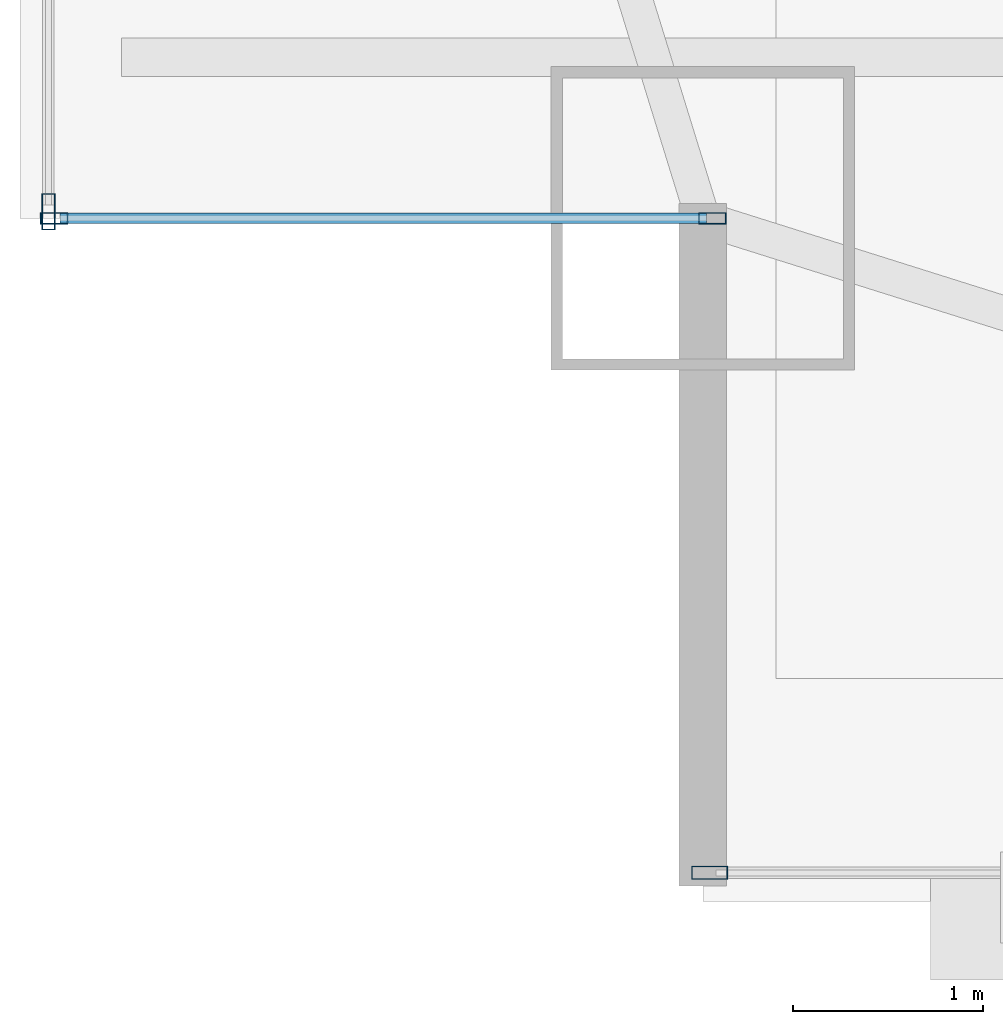
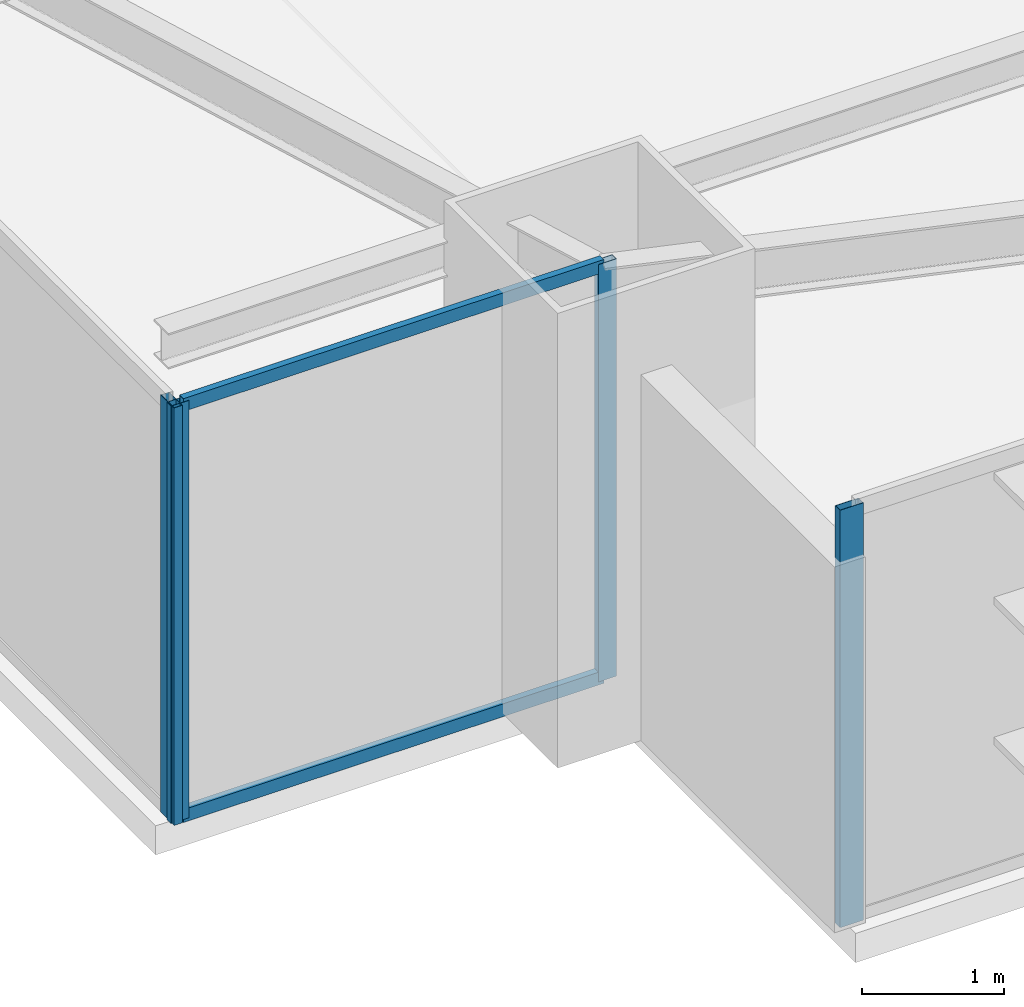
# One storey, part 3 of 32: 6 members, 3 elements without a shape of their own.
"""IFC4 building model written with IfcOpenShell, lengths in metres."""

from ifc_helpers import new_model, si_unit, direction, frame, origin, origin_2d, place, context, subcontext, project, spatial, hollow_rectangle, extrude, source, transform, mapped, material, layer, layer_set, material_profile, profile_set, type_object, type_shapes, element, aggregate, save


model = new_model("IFC4")

# Units and contexts
model_context = context("Model", 3, precision=1e-05, world=origin(), true_north=direction((0.0, 1.0)))
body_context = subcontext(model_context, "Body", "Model", "MODEL_VIEW")
ifc_project = project(units=[si_unit("LENGTHUNIT", "METRE"), si_unit("AREAUNIT", "SQUARE_METRE"), si_unit("VOLUMEUNIT", "CUBIC_METRE"), si_unit("PLANEANGLEUNIT", "RADIAN"), si_unit("MASSUNIT", "GRAM", prefix="KILO")], contexts=[model_context])

# Site, building, storey
site_placement = place(None, origin())
site = spatial("IfcSite", under=ifc_project, at=site_placement, CompositionType="ELEMENT")
building_placement = place(site_placement, origin())
building = spatial("IfcBuilding", under=site, at=building_placement, Name="Varnel Quay Broadcast Tower", CompositionType="ELEMENT")
storey_placement = place(building_placement, frame((0.0, 0.0, 78.300048828125)))
storey = spatial("IfcBuildingStorey", under=building, at=storey_placement, Name="L18", CompositionType="ELEMENT", Elevation=78.300048828125)

# Curtain wall, members
ifc_material = material(Name="Anodised Bronze Aluminium 6063-T6", Category="aluminium")
ifc_layer_1 = layer(ifc_material, 0.18994140625, Name="Anodised Bronze Aluminium 6063-T6")
ifc_layer_set_1 = layer_set([ifc_layer_1], Name="Anodised Bronze Aluminium 6063-T6")
curtain_wall_type_1 = type_object("IfcCurtainWallType", Name="CW_NotchCorner", PredefinedType="NOTDEFINED", material=ifc_layer_set_1)
curtain_wall_1_placement = place(storey_placement, origin())
curtain_wall_1 = element("IfcCurtainWall", 1, at=curtain_wall_1_placement, inside=storey, type_object=curtain_wall_type_1, Name="L18 SW Notch Curtain Wall", PredefinedType="NOTDEFINED")
ifc_material_profile_1 = material_profile(ifc_material, hollow_rectangle(XDim=0.054931640625, YDim=0.110107421875, WallThickness=0.0029296875, at=origin_2d()), Name="ALU55X110X3")
ifc_profile_set_1 = profile_set([ifc_material_profile_1], Name="Anodised Bronze Aluminium 6063-T6")
member_type_1 = type_object("IfcMemberType", Name="Tran_CWS-04", PredefinedType="USERDEFINED", material=ifc_profile_set_1)
shared_shape_1 = source(origin(), body_context, "Body", "SweptSolid", [
    extrude(hollow_rectangle(XDim=0.054931640625, YDim=0.110107421875, WallThickness=0.0029296875, at=origin_2d()), origin(), (0.0, 0.0, 1.0), 3.41015625),
])
type_shapes(member_type_1, [shared_shape_1])
member_1_placement = place(storey_placement, frame((2.2099609375, 4.800048828125, 0.02734375), z_axis=(1.0, 0.0, 0.0), x_axis=(0.0, 1.0, 0.0)))
member_1 = element("IfcMember", 2, at=member_1_placement, type_object=member_type_1, Name="CWS-04 transom 1.1", ObjectType="TRANSOM", PredefinedType="USERDEFINED", context=body_context, shape_type="MappedRepresentation", body=[
    mapped(shared_shape_1, transform((0.0, 0.0, 0.0), x_axis=(1.0, 0.0, 0.0), y_axis=(0.0, 1.0, 0.0), z_axis=(0.0, 0.0, 1.0), scale=1.0)),
])
member_2_placement = place(storey_placement, frame((2.2099609375, 4.800048828125, 3.552490234375), z_axis=(1.0, 0.0, 0.0), x_axis=(0.0, 1.0, 0.0)))
member_2 = element("IfcMember", 3, at=member_2_placement, type_object=member_type_1, Name="CWS-04 transom 1.2", ObjectType="TRANSOM", PredefinedType="USERDEFINED", context=body_context, shape_type="MappedRepresentation", body=[
    mapped(shared_shape_1, transform((0.0, 0.0, 0.0), x_axis=(1.0, 0.0, 0.0), y_axis=(0.0, 1.0, 0.0), z_axis=(0.0, 0.0, 1.0), scale=1.0)),
])

# Curtain wall, member
ifc_layer_2 = layer(ifc_material, 0.18994140625, Name="Anodised Bronze Aluminium 6063-T6")
ifc_layer_set_2 = layer_set([ifc_layer_2], Name="Anodised Bronze Aluminium 6063-T6")
curtain_wall_type_2 = type_object("IfcCurtainWallType", Name="CW_LowerTower", PredefinedType="NOTDEFINED", material=ifc_layer_set_2)
curtain_wall_2_placement = place(storey_placement, origin())
curtain_wall_2 = element("IfcCurtainWall", 4, at=curtain_wall_2_placement, inside=storey, type_object=curtain_wall_type_2, Name="L18 South Unitised Curtain Wall 1", PredefinedType="NOTDEFINED")
ifc_material_profile_2 = material_profile(ifc_material, hollow_rectangle(XDim=0.070068359375, YDim=0.18994140625, WallThickness=0.00390625, at=origin_2d()), Name="ALU70X190X4")
ifc_profile_set_2 = profile_set([ifc_material_profile_2], Name="Anodised Bronze Aluminium 6063-T6")
member_type_2 = type_object("IfcMemberType", Name="Mull_CWS-02", PredefinedType="MULLION", material=ifc_profile_set_2)
shared_shape_2 = source(origin(), body_context, "Body", "SweptSolid", [
    extrude(hollow_rectangle(XDim=0.070068359375, YDim=0.18994140625, WallThickness=0.00390625, at=origin_2d()), origin(), (0.0, 0.0, 1.0), 3.579833984375),
])
type_shapes(member_type_2, [shared_shape_2])
member_3_placement = place(storey_placement, frame((5.635009765625, 1.35009765625, 0.0), z_axis=(0.0, 0.0, 1.0), x_axis=(0.0, 1.0, 0.0)))
member_3 = element("IfcMember", 5, at=member_3_placement, type_object=member_type_2, Name="CWS-02 mullion 1", PredefinedType="MULLION", context=body_context, shape_type="MappedRepresentation", body=[
    mapped(shared_shape_2, transform((0.0, 0.0, 0.0), x_axis=(1.0, 0.0, 0.0), y_axis=(0.0, 1.0, 0.0), z_axis=(0.0, 0.0, 1.0), scale=1.0)),
])
aggregate(curtain_wall_2, [member_3])

curtain_wall_3_placement = place(storey_placement, origin())
curtain_wall_3 = element("IfcCurtainWall", 6, at=curtain_wall_3_placement, inside=storey, type_object=curtain_wall_type_2, Name="L18 West Unitised Curtain Wall", PredefinedType="NOTDEFINED")
member_4_placement = place(storey_placement, frame((2.14990234375, 4.8349609375, 0.0), z_axis=(0.0, 0.0, 1.0), x_axis=(-1.0, 0.0, 0.0)))
member_4 = element("IfcMember", 7, at=member_4_placement, type_object=member_type_2, Name="CWS-02 mullion 1", PredefinedType="MULLION", context=body_context, shape_type="MappedRepresentation", body=[
    mapped(shared_shape_2, transform((0.0, 0.0, 0.0), x_axis=(1.0, 0.0, 0.0), y_axis=(0.0, 1.0, 0.0), z_axis=(0.0, 0.0, 1.0), scale=1.0)),
])
aggregate(curtain_wall_3, [member_4])

# Member
ifc_material_profile_3 = material_profile(ifc_material, hollow_rectangle(XDim=0.06005859375, YDim=0.14501953125, WallThickness=0.00341796875, at=origin_2d()), Name="ALU60X145X3.5")
ifc_profile_set_3 = profile_set([ifc_material_profile_3], Name="Anodised Bronze Aluminium 6063-T6")
member_type_3 = type_object("IfcMemberType", Name="Mull_CWS-04", PredefinedType="MULLION", material=ifc_profile_set_3)
shared_shape_3 = source(origin(), body_context, "Body", "SweptSolid", [
    extrude(hollow_rectangle(XDim=0.06005859375, YDim=0.14501953125, WallThickness=0.00341796875, at=origin_2d()), origin(), (0.0, 0.0, 1.0), 3.579833984375),
])
type_shapes(member_type_3, [shared_shape_3])
member_5_placement = place(storey_placement, frame((2.179931640625, 4.800048828125, 0.0), z_axis=(0.0, 0.0, 1.0), x_axis=(0.0, 1.0, 0.0)))
member_5 = element("IfcMember", 8, at=member_5_placement, type_object=member_type_3, Name="CWS-04 mullion 1", PredefinedType="MULLION", context=body_context, shape_type="MappedRepresentation", body=[
    mapped(shared_shape_3, transform((0.0, 0.0, 0.0), x_axis=(1.0, 0.0, 0.0), y_axis=(0.0, 1.0, 0.0), z_axis=(0.0, 0.0, 1.0), scale=1.0)),
])

member_6_placement = place(storey_placement, frame((5.64990234375, 4.800048828125, 0.0), z_axis=(0.0, 0.0, 1.0), x_axis=(0.0, 1.0, 0.0)))
member_6 = element("IfcMember", 9, at=member_6_placement, type_object=member_type_3, Name="CWS-04 mullion 2", PredefinedType="MULLION", context=body_context, shape_type="MappedRepresentation", body=[
    mapped(shared_shape_3, transform((0.0, 0.0, 0.0), x_axis=(1.0, 0.0, 0.0), y_axis=(0.0, 1.0, 0.0), z_axis=(0.0, 0.0, 1.0), scale=1.0)),
])

aggregate(curtain_wall_1, [member_5, member_6, member_1, member_2])

save(model, "model.ifc")
